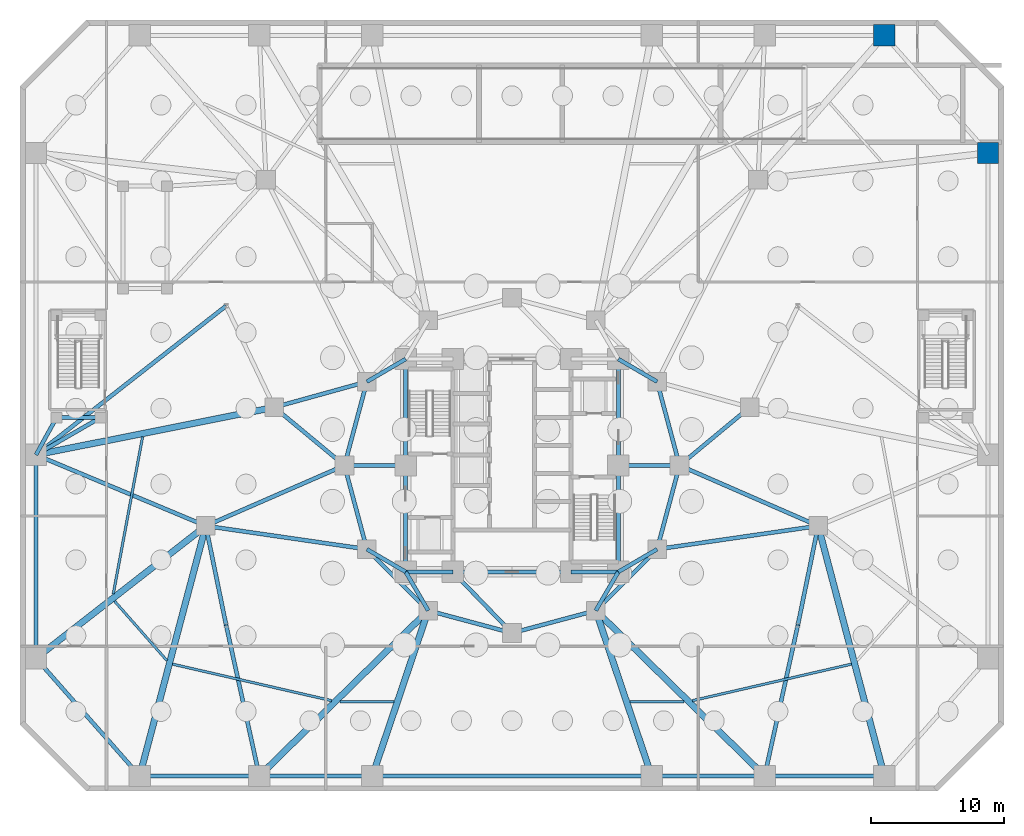
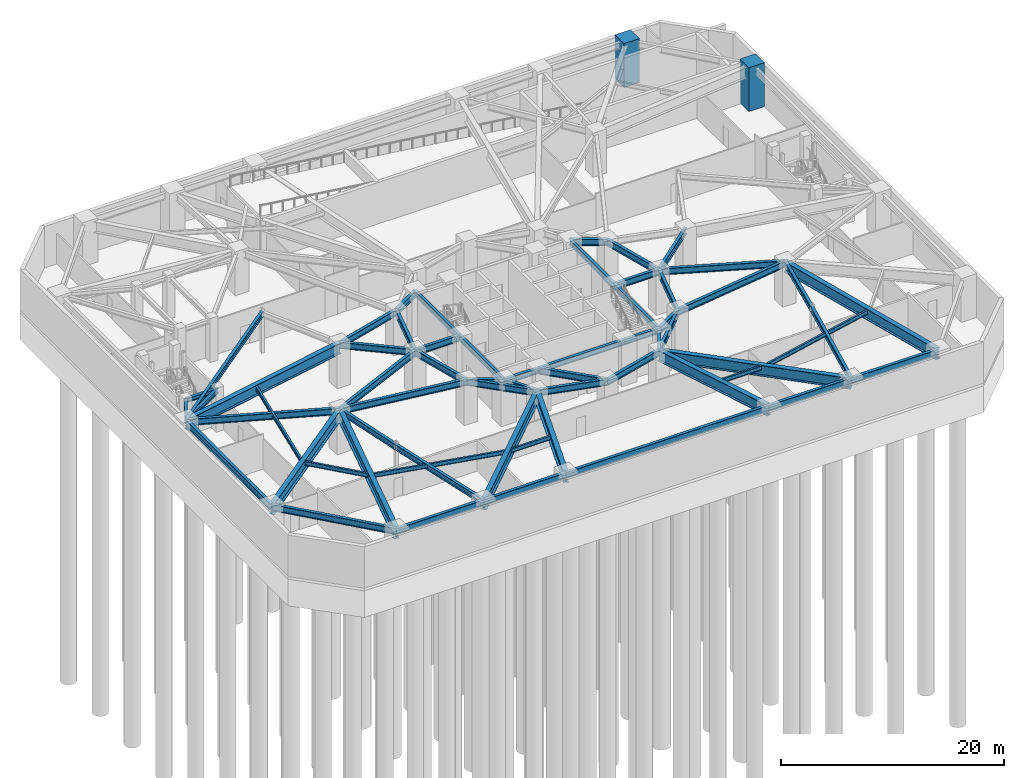
# One storey, part 9 of 20: 61 beams, 2 columns.
"""IFC4 building model written with IfcOpenShell, lengths in metres."""

from ifc_helpers import new_model, si_unit, direction, frame, origin, origin_2d, place, context, subcontext, project, spatial, rectangle, i_section, extrude, material, material_profile, profile_set, type_object, element, save


model = new_model("IFC4")

# Units and contexts
model_context = context("Model", 3, precision=1e-05, world=origin(), true_north=direction((0.0, 1.0)))
body_context = subcontext(model_context, "Body", "Model", "MODEL_VIEW")
ifc_project = project(units=[si_unit("LENGTHUNIT", "METRE"), si_unit("AREAUNIT", "SQUARE_METRE"), si_unit("VOLUMEUNIT", "CUBIC_METRE"), si_unit("PLANEANGLEUNIT", "RADIAN"), si_unit("MASSUNIT", "GRAM", prefix="KILO")], contexts=[model_context])

# Site, building, storey
site_placement = place(None, origin())
site = spatial("IfcSite", under=ifc_project, at=site_placement, CompositionType="ELEMENT")
building_placement = place(site_placement, origin())
building = spatial("IfcBuilding", under=site, at=building_placement, Name="Terralouvre Media Tower", CompositionType="ELEMENT")
storey_placement = place(building_placement, frame((0.0, 0.0, -9.60009765625)))
storey = spatial("IfcBuildingStorey", under=building, at=storey_placement, Name="B02", CompositionType="ELEMENT", Elevation=-9.60009765625)

# Columns
ifc_material_1 = material(Name="Concrete C60/75", Category="concrete")
ifc_material_profile_1 = material_profile(ifc_material_1, rectangle(XDim=1.60009765625, YDim=1.60009765625, at=origin_2d()), Name="RC 1600x1600")
ifc_profile_set_1 = profile_set([ifc_material_profile_1], Name="Concrete C60/75")
column_type = type_object("IfcColumnType", Name="Structural Column C-RC1600 (RC 1600x1600)", PredefinedType="COLUMN", material=ifc_profile_set_1)
for number, where, z_axis, x_axis, name in (
    (1, (35.800048828125, 23.5, 0.0), (0.0, 0.0, 1.0), (1.0, 0.0, 0.0), "B02 Perimeter Mega-Column PM09"),
    (2, (28.0, 32.35009765625, 0.0), (0.0, 0.0, 1.0), (1.0, 0.0, 0.0), "B02 Perimeter Mega-Column PM10"),
):
    element("IfcColumn", number, at=place(storey_placement, frame(where, z_axis=z_axis, x_axis=x_axis)), inside=storey, type_object=column_type, Name=name, PredefinedType="COLUMN", context=body_context, shape_type="SweptSolid", body=[
        extrude(rectangle(XDim=1.60009765625, YDim=1.60009765625, at=origin_2d()), origin(), (0.0, 0.0, 1.0), 4.800048828125),
    ])

# Beams
ifc_material_2 = material(Name="Structural steel S355J2", Category="steel")
ifc_material_profile_2 = material_profile(ifc_material_2, i_section(OverallWidth=0.18994140625, OverallDepth=0.449951171875, WebThickness=0.009521484375, FlangeThickness=0.0146484375, at=origin_2d()), Name="IPE 450")
ifc_profile_set_2 = profile_set([ifc_material_profile_2], Name="Structural steel S355J2")
beam_type_1 = type_object("IfcBeamType", Name="Composite Floor Joist J-IPE450 (IPE 450)", PredefinedType="JOIST", material=ifc_profile_set_2)
beam_1_placement = place(storey_placement, frame((-29.8935546875, -10.199951171875, 4.295166015625), z_axis=(0.66119903181, -0.750210530674, 0.0), x_axis=(0.750210530674, 0.66119903181, 0.0)))
element("IfcBeam", 3, at=beam_1_placement, inside=storey, type_object=beam_type_1, Name="B02 Framing Beam JT-B02-01", PredefinedType="JOIST", context=body_context, shape_type="SweptSolid", body=[
    extrude(i_section(OverallWidth=0.18994140625, OverallDepth=0.449951171875, WebThickness=0.009521484375, FlangeThickness=0.0146484375, at=origin_2d()), origin(), (0.0, 0.0, 1.0), 5.962890625),
])
beam_2_placement = place(storey_placement, frame((-25.529052734375, -14.94189453125, 4.295166015625), z_axis=(0.974645575142, -0.223754335951, 0.0), x_axis=(0.223754335951, 0.974645575142, 0.0)))
element("IfcBeam", 4, at=beam_2_placement, inside=storey, type_object=beam_type_1, Name="B02 Framing Beam JT-B02-02", PredefinedType="JOIST", context=body_context, shape_type="SweptSolid", body=[
    extrude(i_section(OverallWidth=0.18994140625, OverallDepth=0.449951171875, WebThickness=0.009521484375, FlangeThickness=0.0146484375, at=origin_2d()), origin(), (0.0, 0.0, 1.0), 12.279296875),
])
for number, where, z_axis, x_axis, name in (
    (5, (-12.944091796875, -17.7529296875, 4.295166015625), (1.0, 0.0, 0.0), (0.0, 1.0, 0.0), "B02 Framing Beam JT-B02-03"),
    (6, (8.861328125, -17.7529296875, 4.295166015625), (1.0, 0.0, 0.0), (0.0, 1.0, 0.0), "B02 Framing Beam JT-B02-05"),
):
    element("IfcBeam", number, at=place(storey_placement, frame(where, z_axis=z_axis, x_axis=x_axis)), inside=storey, type_object=beam_type_1, Name=name, PredefinedType="JOIST", context=body_context, shape_type="SweptSolid", body=[
        extrude(i_section(OverallWidth=0.18994140625, OverallDepth=0.449951171875, WebThickness=0.009521484375, FlangeThickness=0.0146484375, at=origin_2d()), origin(), (0.0, 0.0, 1.0), 4.082763671875),
    ])
beam_3_placement = place(storey_placement, frame((13.56103515625, -17.689453125, 4.295166015625), z_axis=(0.974645575142, 0.223754335951, 0.0), x_axis=(-0.223754335951, 0.974645575142, 0.0)))
element("IfcBeam", 7, at=beam_3_placement, inside=storey, type_object=beam_type_1, Name="B02 Framing Beam JT-B02-06", PredefinedType="JOIST", context=body_context, shape_type="SweptSolid", body=[
    extrude(i_section(OverallWidth=0.18994140625, OverallDepth=0.449951171875, WebThickness=0.009521484375, FlangeThickness=0.0146484375, at=origin_2d()), origin(), (0.0, 0.0, 1.0), 12.279296875),
])
beam_4_placement = place(storey_placement, frame((-27.78076171875, 2.15576171875, 4.295166015625), z_axis=(-0.183290741446, -0.983058749058, 0.0), x_axis=(0.983058749058, -0.183290741446, 0.0)))
element("IfcBeam", 8, at=beam_4_placement, inside=storey, type_object=beam_type_1, Name="B02 Framing Beam JT-B02-18", PredefinedType="JOIST", context=body_context, shape_type="SweptSolid", body=[
    extrude(i_section(OverallWidth=0.18994140625, OverallDepth=0.449951171875, WebThickness=0.009521484375, FlangeThickness=0.0146484375, at=origin_2d()), origin(), (0.0, 0.0, 1.0), 12.026611328125),
])
ifc_material_3 = material(Name="Structural steel S355J2", Category="steel")
ifc_material_profile_3 = material_profile(ifc_material_3, i_section(OverallWidth=0.300048828125, OverallDepth=0.449951171875, WebThickness=0.013916015625, FlangeThickness=0.02587890625, at=origin_2d()), Name="HEB 450")
ifc_profile_set_3 = profile_set([ifc_material_profile_3], Name="Structural steel S355J2")
beam_type_2 = type_object("IfcBeamType", Name="Primary Floor Girder B-HEB450 (HEB 450)", PredefinedType="BEAM", material=ifc_profile_set_3)
beam_5_placement = place(storey_placement, frame((-34.25, 3.60009765625, 4.295166015625), z_axis=(1.0, 0.0, 0.0), x_axis=(0.0, 1.0, 0.0)))
element("IfcBeam", 9, at=beam_5_placement, inside=storey, type_object=beam_type_2, Name="B02 Framing Beam BM-B02-PVST31", PredefinedType="BEAM", context=body_context, shape_type="SweptSolid", body=[
    extrude(i_section(OverallWidth=0.300048828125, OverallDepth=0.449951171875, WebThickness=0.013916015625, FlangeThickness=0.02587890625, at=origin_2d()), origin(), (0.0, 0.0, 1.0), 3.300048828125),
])
ifc_material_4 = material(Name="Structural steel S355J2", Category="steel")
ifc_material_profile_4 = material_profile(ifc_material_4, i_section(OverallWidth=0.300048828125, OverallDepth=0.5, WebThickness=0.014404296875, FlangeThickness=0.028076171875, at=origin_2d()), Name="HEB 500")
ifc_profile_set_4 = profile_set([ifc_material_profile_4], Name="Structural steel S355J2")
beam_type_3 = type_object("IfcBeamType", Name="Primary Floor Girder B-HEB500 (HEB 500)", PredefinedType="BEAM", material=ifc_profile_set_4)
beam_6_placement = place(storey_placement, frame((-34.25, 3.60009765625, 4.27001953125), z_axis=(-0.484321096397, -0.874890322032, 0.0), x_axis=(0.874890322032, -0.484321096397, 0.0)))
element("IfcBeam", 10, at=beam_6_placement, inside=storey, type_object=beam_type_3, Name="B02 Framing Beam BM-B02-PVTST31", PredefinedType="BEAM", context=body_context, shape_type="SweptSolid", body=[
    extrude(i_section(OverallWidth=0.300048828125, OverallDepth=0.5, WebThickness=0.014404296875, FlangeThickness=0.028076171875, at=origin_2d()), origin(), (0.0, 0.0, 1.0), 3.200439453125),
])
beam_7_placement = place(storey_placement, frame((-30.949951171875, 3.60009765625, 4.27001953125), z_axis=(-0.866037493094, -0.499979060117, 0.0), x_axis=(0.499979060117, -0.866037493094, 0.0)))
element("IfcBeam", 11, at=beam_7_placement, inside=storey, type_object=beam_type_3, Name="B02 Framing Beam BM-B02-PVTST32", PredefinedType="BEAM", context=body_context, shape_type="SweptSolid", body=[
    extrude(i_section(OverallWidth=0.300048828125, OverallDepth=0.5, WebThickness=0.014404296875, FlangeThickness=0.028076171875, at=origin_2d()), origin(), (0.0, 0.0, 1.0), 5.600341796875),
])
ifc_material_5 = material(Name="Structural steel S460M", Category="steel")
ifc_material_profile_5 = material_profile(ifc_material_5, i_section(OverallWidth=0.300048828125, OverallDepth=0.60009765625, WebThickness=0.015380859375, FlangeThickness=0.030029296875, at=origin_2d()), Name="HEB 600")
ifc_profile_set_5 = profile_set([ifc_material_profile_5], Name="Structural steel S460M")
beam_type_4 = type_object("IfcBeamType", Name="Primary Floor Girder B-HEB600 (HEB 600)", PredefinedType="BEAM", material=ifc_profile_set_5)
beam_8_placement = place(storey_placement, frame((-8.0, -8.0, 4.22021484375), z_axis=(1.0, 0.0, 0.0), x_axis=(0.0, 1.0, 0.0)))
element("IfcBeam", 12, at=beam_8_placement, inside=storey, type_object=beam_type_4, Name="B02 Framing Beam BM-B02-CPR01", PredefinedType="BEAM", context=body_context, shape_type="SweptSolid", body=[
    extrude(i_section(OverallWidth=0.300048828125, OverallDepth=0.60009765625, WebThickness=0.015380859375, FlangeThickness=0.030029296875, at=origin_2d()), origin(), (0.0, 0.0, 1.0), 3.550048828125),
])
beam_9_placement = place(storey_placement, frame((-4.449951171875, -8.0, 4.22021484375), z_axis=(1.0, 0.0, 0.0), x_axis=(0.0, 1.0, 0.0)))
element("IfcBeam", 13, at=beam_9_placement, inside=storey, type_object=beam_type_4, Name="B02 Framing Beam BM-B02-CPR02", PredefinedType="BEAM", context=body_context, shape_type="SweptSolid", body=[
    extrude(i_section(OverallWidth=0.300048828125, OverallDepth=0.60009765625, WebThickness=0.015380859375, FlangeThickness=0.030029296875, at=origin_2d()), origin(), (0.0, 0.0, 1.0), 8.89990234375),
])
beam_10_placement = place(storey_placement, frame((4.449951171875, -8.0, 4.22021484375), z_axis=(1.0, 0.0, 0.0), x_axis=(0.0, 1.0, 0.0)))
element("IfcBeam", 14, at=beam_10_placement, inside=storey, type_object=beam_type_4, Name="B02 Framing Beam BM-B02-CPR03", PredefinedType="BEAM", context=body_context, shape_type="SweptSolid", body=[
    extrude(i_section(OverallWidth=0.300048828125, OverallDepth=0.60009765625, WebThickness=0.015380859375, FlangeThickness=0.030029296875, at=origin_2d()), origin(), (0.0, 0.0, 1.0), 3.550048828125),
])
for number, where, z_axis, x_axis, name in (
    (15, (8.0, -8.0, 4.22021484375), (0.0, 1.0, 0.0), (-1.0, 0.0, 0.0), "B02 Framing Beam BM-B02-CPR04"),
    (16, (8.0, 0.0, 4.22021484375), (0.0, 1.0, 0.0), (-1.0, 0.0, 0.0), "B02 Framing Beam BM-B02-CPR05"),
    (17, (-8.0, 8.0, 4.22021484375), (0.0, -1.0, 0.0), (1.0, 0.0, 0.0), "B02 Framing Beam BM-B02-CPR09"),
    (18, (-8.0, 0.0, 4.22021484375), (0.0, -1.0, 0.0), (1.0, 0.0, 0.0), "B02 Framing Beam BM-B02-CPR10"),
):
    element("IfcBeam", number, at=place(storey_placement, frame(where, z_axis=z_axis, x_axis=x_axis)), inside=storey, type_object=beam_type_4, Name=name, PredefinedType="BEAM", context=body_context, shape_type="SweptSolid", body=[
        extrude(i_section(OverallWidth=0.300048828125, OverallDepth=0.60009765625, WebThickness=0.015380859375, FlangeThickness=0.030029296875, at=origin_2d()), origin(), (0.0, 0.0, 1.0), 8.0),
    ])
beam_11_placement = place(storey_placement, frame((-23.02490234375, -4.546630859375, 4.22021484375), z_axis=(0.200440339184, -0.979705910173, 0.0), x_axis=(0.979705910173, 0.200440339184, 0.0)))
element("IfcBeam", 19, at=beam_11_placement, inside=storey, type_object=beam_type_4, Name="B02 Framing Beam BM-B02-PIL1A", PredefinedType="BEAM", context=body_context, shape_type="SweptSolid", body=[
    extrude(i_section(OverallWidth=0.300048828125, OverallDepth=0.60009765625, WebThickness=0.015380859375, FlangeThickness=0.030029296875, at=origin_2d()), origin(), (0.0, 0.0, 1.0), 7.607666015625),
])
beam_12_placement = place(storey_placement, frame((-21.5, -12.0, 4.22021484375), z_axis=(0.215106223579, -0.976590657634, 0.0), x_axis=(0.976590657634, 0.215106223579, 0.0)))
element("IfcBeam", 20, at=beam_12_placement, inside=storey, type_object=beam_type_4, Name="B02 Framing Beam BM-B02-PIL1B", PredefinedType="BEAM", context=body_context, shape_type="SweptSolid", body=[
    extrude(i_section(OverallWidth=0.300048828125, OverallDepth=0.60009765625, WebThickness=0.015380859375, FlangeThickness=0.030029296875, at=origin_2d()), origin(), (0.0, 0.0, 1.0), 11.6220703125),
])
beam_13_placement = place(storey_placement, frame((23.02490234375, -4.546630859375, 4.22021484375), z_axis=(-0.200440339184, -0.979705910173, 0.0), x_axis=(0.979705910173, -0.200440339184, 0.0)))
element("IfcBeam", 21, at=beam_13_placement, inside=storey, type_object=beam_type_4, Name="B02 Framing Beam BM-B02-PIL2A", PredefinedType="BEAM", context=body_context, shape_type="SweptSolid", body=[
    extrude(i_section(OverallWidth=0.300048828125, OverallDepth=0.60009765625, WebThickness=0.015380859375, FlangeThickness=0.030029296875, at=origin_2d()), origin(), (0.0, 0.0, 1.0), 7.607666015625),
])
beam_14_placement = place(storey_placement, frame((21.5, -12.0, 4.22021484375), z_axis=(-0.215106223579, -0.976590657634, 0.0), x_axis=(0.976590657634, -0.215106223579, 0.0)))
element("IfcBeam", 22, at=beam_14_placement, inside=storey, type_object=beam_type_4, Name="B02 Framing Beam BM-B02-PIL2B", PredefinedType="BEAM", context=body_context, shape_type="SweptSolid", body=[
    extrude(i_section(OverallWidth=0.300048828125, OverallDepth=0.60009765625, WebThickness=0.015380859375, FlangeThickness=0.030029296875, at=origin_2d()), origin(), (0.0, 0.0, 1.0), 11.6220703125),
])
beam_15_placement = place(storey_placement, frame((-21.5, 12.0, 4.22021484375), z_axis=(-0.787274922091, -0.616602138373, 0.0), x_axis=(0.616602138373, -0.787274922091, 0.0)))
element("IfcBeam", 23, at=beam_15_placement, inside=storey, type_object=beam_type_4, Name="B02 Framing Beam BM-B02-PIL3B", PredefinedType="BEAM", context=body_context, shape_type="SweptSolid", body=[
    extrude(i_section(OverallWidth=0.300048828125, OverallDepth=0.60009765625, WebThickness=0.015380859375, FlangeThickness=0.030029296875, at=origin_2d()), origin(), (0.0, 0.0, 1.0), 18.1640625),
])
ifc_material_6 = material(Name="Structural steel S460M", Category="steel")
ifc_material_profile_6 = material_profile(ifc_material_6, i_section(OverallWidth=0.300048828125, OverallDepth=0.699951171875, WebThickness=0.01708984375, FlangeThickness=0.031982421875, at=origin_2d()), Name="HEB 700")
ifc_profile_set_6 = profile_set([ifc_material_profile_6], Name="Structural steel S460M")
beam_type_5 = type_object("IfcBeamType", Name="Primary Floor Girder B-HEB700 (HEB 700)", PredefinedType="BEAM", material=ifc_profile_set_6)
beam_16_placement = place(storey_placement, frame((-10.911865234375, -6.300048828125, 4.170166015625), z_axis=(0.707106781187, -0.707106781187, 0.0), x_axis=(0.707106781187, 0.707106781187, 0.0)))
element("IfcBeam", 24, at=beam_16_placement, inside=storey, type_object=beam_type_5, Name="B02 Framing Beam BM-B02-MR01", PredefinedType="BEAM", context=body_context, shape_type="SweptSolid", body=[
    extrude(i_section(OverallWidth=0.300048828125, OverallDepth=0.699951171875, WebThickness=0.01708984375, FlangeThickness=0.031982421875, at=origin_2d()), origin(), (0.0, 0.0, 1.0), 6.52197265625),
])
for number, where, z_axis, x_axis, name in (
    (25, (-6.300048828125, -10.911865234375, 4.170166015625), (0.965920481897, -0.258838989821, 0.0), (0.258838989821, 0.965920481897, 0.0), "B02 Framing Beam BM-B02-MR02"),
    (26, (0.0, -12.60009765625, 4.170166015625), (0.965920481897, 0.258838989821, 0.0), (-0.258838989821, 0.965920481897, 0.0), "B02 Framing Beam BM-B02-MR03"),
):
    element("IfcBeam", number, at=place(storey_placement, frame(where, z_axis=z_axis, x_axis=x_axis)), inside=storey, type_object=beam_type_5, Name=name, PredefinedType="BEAM", context=body_context, shape_type="SweptSolid", body=[
        extrude(i_section(OverallWidth=0.300048828125, OverallDepth=0.699951171875, WebThickness=0.01708984375, FlangeThickness=0.031982421875, at=origin_2d()), origin(), (0.0, 0.0, 1.0), 6.522216796875),
    ])
beam_17_placement = place(storey_placement, frame((6.300048828125, -10.911865234375, 4.170166015625), z_axis=(0.707106781187, 0.707106781187, 0.0), x_axis=(-0.707106781187, 0.707106781187, 0.0)))
element("IfcBeam", 27, at=beam_17_placement, inside=storey, type_object=beam_type_5, Name="B02 Framing Beam BM-B02-MR04", PredefinedType="BEAM", context=body_context, shape_type="SweptSolid", body=[
    extrude(i_section(OverallWidth=0.300048828125, OverallDepth=0.699951171875, WebThickness=0.01708984375, FlangeThickness=0.031982421875, at=origin_2d()), origin(), (0.0, 0.0, 1.0), 6.52197265625),
])
for number, where, z_axis, x_axis, name in (
    (28, (10.911865234375, -6.300048828125, 4.170166015625), (0.258838989821, 0.965920481897, 0.0), (-0.965920481897, 0.258838989821, 0.0), "B02 Framing Beam BM-B02-MR05"),
    (29, (12.60009765625, 0.0, 4.170166015625), (-0.258838989821, 0.965920481897, 0.0), (-0.965920481897, -0.258838989821, 0.0), "B02 Framing Beam BM-B02-MR06"),
    (30, (-10.911865234375, 6.300048828125, 4.170166015625), (-0.258838989821, -0.965920481897, 0.0), (0.965920481897, -0.258838989821, 0.0), "B02 Framing Beam BM-B02-MR11"),
    (31, (-12.60009765625, 0.0, 4.170166015625), (0.258838989821, -0.965920481897, 0.0), (0.965920481897, 0.258838989821, 0.0), "B02 Framing Beam BM-B02-MR12"),
):
    element("IfcBeam", number, at=place(storey_placement, frame(where, z_axis=z_axis, x_axis=x_axis)), inside=storey, type_object=beam_type_5, Name=name, PredefinedType="BEAM", context=body_context, shape_type="SweptSolid", body=[
        extrude(i_section(OverallWidth=0.300048828125, OverallDepth=0.699951171875, WebThickness=0.01708984375, FlangeThickness=0.031982421875, at=origin_2d()), origin(), (0.0, 0.0, 1.0), 6.522216796875),
    ])
for number, where, z_axis, x_axis, name in (
    (32, (-8.0, -8.0, 4.170166015625), (-0.863602894532, 0.504172629717, 0.0), (-0.504172629717, -0.863602894532, 0.0), "B02 Framing Beam BM-B02-CM01"),
    (33, (-8.0, -8.0, 4.170166015625), (0.504172629717, -0.863602894532, 0.0), (0.863602894532, 0.504172629717, 0.0), "B02 Framing Beam BM-B02-CM02"),
):
    element("IfcBeam", number, at=place(storey_placement, frame(where, z_axis=z_axis, x_axis=x_axis)), inside=storey, type_object=beam_type_5, Name=name, PredefinedType="BEAM", context=body_context, shape_type="SweptSolid", body=[
        extrude(i_section(OverallWidth=0.300048828125, OverallDepth=0.699951171875, WebThickness=0.01708984375, FlangeThickness=0.031982421875, at=origin_2d()), origin(), (0.0, 0.0, 1.0), 3.371826171875),
    ])
beam_18_placement = place(storey_placement, frame((-4.449951171875, -8.0, 4.170166015625), z_axis=(0.695279715726, -0.718739255155, 0.0), x_axis=(0.718739255155, 0.695279715726, 0.0)))
element("IfcBeam", 34, at=beam_18_placement, inside=storey, type_object=beam_type_5, Name="B02 Framing Beam BM-B02-CM03", PredefinedType="BEAM", context=body_context, shape_type="SweptSolid", body=[
    extrude(i_section(OverallWidth=0.300048828125, OverallDepth=0.699951171875, WebThickness=0.01708984375, FlangeThickness=0.031982421875, at=origin_2d()), origin(), (0.0, 0.0, 1.0), 6.400146484375),
])
for number, where, z_axis, x_axis, name in (
    (35, (8.0, -8.0, 4.170166015625), (-0.504172629717, -0.863602894532, 0.0), (0.863602894532, -0.504172629717, 0.0), "B02 Framing Beam BM-B02-CM04"),
    (36, (8.0, -8.0, 4.170166015625), (0.863602894532, 0.504172629717, 0.0), (-0.504172629717, 0.863602894532, 0.0), "B02 Framing Beam BM-B02-CM05"),
):
    element("IfcBeam", number, at=place(storey_placement, frame(where, z_axis=z_axis, x_axis=x_axis)), inside=storey, type_object=beam_type_5, Name=name, PredefinedType="BEAM", context=body_context, shape_type="SweptSolid", body=[
        extrude(i_section(OverallWidth=0.300048828125, OverallDepth=0.699951171875, WebThickness=0.01708984375, FlangeThickness=0.031982421875, at=origin_2d()), origin(), (0.0, 0.0, 1.0), 3.371826171875),
    ])
beam_19_placement = place(storey_placement, frame((8.0, 0.0, 4.170166015625), z_axis=(1.0, 0.0, 0.0), x_axis=(0.0, 1.0, 0.0)))
element("IfcBeam", 37, at=beam_19_placement, inside=storey, type_object=beam_type_5, Name="B02 Framing Beam BM-B02-CM06", PredefinedType="BEAM", context=body_context, shape_type="SweptSolid", body=[
    extrude(i_section(OverallWidth=0.300048828125, OverallDepth=0.699951171875, WebThickness=0.01708984375, FlangeThickness=0.031982421875, at=origin_2d()), origin(), (0.0, 0.0, 1.0), 4.60009765625),
])
for number, where, z_axis, x_axis, name in (
    (38, (8.0, 8.0, 4.170166015625), (0.863602894532, -0.504172629717, 0.0), (0.504172629717, 0.863602894532, 0.0), "B02 Framing Beam BM-B02-CM07"),
    (39, (-8.0, 8.0, 4.170166015625), (-0.863602894532, -0.504172629717, 0.0), (0.504172629717, -0.863602894532, 0.0), "B02 Framing Beam BM-B02-CM11"),
):
    element("IfcBeam", number, at=place(storey_placement, frame(where, z_axis=z_axis, x_axis=x_axis)), inside=storey, type_object=beam_type_5, Name=name, PredefinedType="BEAM", context=body_context, shape_type="SweptSolid", body=[
        extrude(i_section(OverallWidth=0.300048828125, OverallDepth=0.699951171875, WebThickness=0.01708984375, FlangeThickness=0.031982421875, at=origin_2d()), origin(), (0.0, 0.0, 1.0), 3.371826171875),
    ])
beam_20_placement = place(storey_placement, frame((-8.0, 0.0, 4.170166015625), z_axis=(-1.0, 0.0, 0.0), x_axis=(0.0, -1.0, 0.0)))
element("IfcBeam", 40, at=beam_20_placement, inside=storey, type_object=beam_type_5, Name="B02 Framing Beam BM-B02-CM12", PredefinedType="BEAM", context=body_context, shape_type="SweptSolid", body=[
    extrude(i_section(OverallWidth=0.300048828125, OverallDepth=0.699951171875, WebThickness=0.01708984375, FlangeThickness=0.031982421875, at=origin_2d()), origin(), (0.0, 0.0, 1.0), 4.60009765625),
])
beam_21_placement = place(storey_placement, frame((12.60009765625, 0.0, 4.170166015625), z_axis=(0.916615903868, -0.399769039291, 0.0), x_axis=(0.399769039291, 0.916615903868, 0.0)))
element("IfcBeam", 41, at=beam_21_placement, inside=storey, type_object=beam_type_5, Name="B02 Framing Beam BM-B02-PM21M1", PredefinedType="BEAM", context=body_context, shape_type="SweptSolid", body=[
    extrude(i_section(OverallWidth=0.300048828125, OverallDepth=0.699951171875, WebThickness=0.01708984375, FlangeThickness=0.031982421875, at=origin_2d()), origin(), (0.0, 0.0, 1.0), 11.373046875),
])
beam_22_placement = place(storey_placement, frame((10.911865234375, -6.300048828125, 4.170166015625), z_axis=(0.989684877742, 0.143261448996, 0.0), x_axis=(-0.143261448996, 0.989684877742, 0.0)))
element("IfcBeam", 42, at=beam_22_placement, inside=storey, type_object=beam_type_5, Name="B02 Framing Beam BM-B02-PM21M2", PredefinedType="BEAM", context=body_context, shape_type="SweptSolid", body=[
    extrude(i_section(OverallWidth=0.300048828125, OverallDepth=0.699951171875, WebThickness=0.01708984375, FlangeThickness=0.031982421875, at=origin_2d()), origin(), (0.0, 0.0, 1.0), 12.2392578125),
])
for number, where, z_axis, x_axis, name in (
    (43, (12.60009765625, 0.0, 4.170166015625), (0.769816459478, 0.638265320001, 0.0), (-0.638265320001, 0.769816459478, 0.0), "B02 Framing Beam BM-B02-PM22M1"),
    (44, (-12.60009765625, 0.0, 4.170166015625), (-0.769816459478, 0.638265320001, 0.0), (-0.638265320001, -0.769816459478, 0.0), "B02 Framing Beam BM-B02-PM23M1"),
):
    element("IfcBeam", number, at=place(storey_placement, frame(where, z_axis=z_axis, x_axis=x_axis)), inside=storey, type_object=beam_type_5, Name=name, PredefinedType="BEAM", context=body_context, shape_type="SweptSolid", body=[
        extrude(i_section(OverallWidth=0.300048828125, OverallDepth=0.699951171875, WebThickness=0.01708984375, FlangeThickness=0.031982421875, at=origin_2d()), origin(), (0.0, 0.0, 1.0), 6.851806640625),
    ])
beam_23_placement = place(storey_placement, frame((-10.911865234375, 6.300048828125, 4.170166015625), z_axis=(-0.963780816717, -0.266695589254, 0.0), x_axis=(0.266695589254, -0.963780816717, 0.0)))
element("IfcBeam", 45, at=beam_23_placement, inside=storey, type_object=beam_type_5, Name="B02 Framing Beam BM-B02-PM23M2", PredefinedType="BEAM", context=body_context, shape_type="SweptSolid", body=[
    extrude(i_section(OverallWidth=0.300048828125, OverallDepth=0.699951171875, WebThickness=0.01708984375, FlangeThickness=0.031982421875, at=origin_2d()), origin(), (0.0, 0.0, 1.0), 7.224609375),
])
beam_24_placement = place(storey_placement, frame((-12.60009765625, 0.0, 4.170166015625), z_axis=(-0.916615903868, -0.399769039291, 0.0), x_axis=(0.399769039291, -0.916615903868, 0.0)))
element("IfcBeam", 46, at=beam_24_placement, inside=storey, type_object=beam_type_5, Name="B02 Framing Beam BM-B02-PM24M1", PredefinedType="BEAM", context=body_context, shape_type="SweptSolid", body=[
    extrude(i_section(OverallWidth=0.300048828125, OverallDepth=0.699951171875, WebThickness=0.01708984375, FlangeThickness=0.031982421875, at=origin_2d()), origin(), (0.0, 0.0, 1.0), 11.373046875),
])
beam_25_placement = place(storey_placement, frame((-10.911865234375, -6.300048828125, 4.170166015625), z_axis=(-0.989684877742, 0.143261448996, 0.0), x_axis=(-0.143261448996, -0.989684877742, 0.0)))
element("IfcBeam", 47, at=beam_25_placement, inside=storey, type_object=beam_type_5, Name="B02 Framing Beam BM-B02-PM24M2", PredefinedType="BEAM", context=body_context, shape_type="SweptSolid", body=[
    extrude(i_section(OverallWidth=0.300048828125, OverallDepth=0.699951171875, WebThickness=0.01708984375, FlangeThickness=0.031982421875, at=origin_2d()), origin(), (0.0, 0.0, 1.0), 12.2392578125),
])
beam_26_placement = place(storey_placement, frame((-23.02490234375, -4.546630859375, 4.170166015625), z_axis=(-0.922468147364, 0.386073201737, 0.0), x_axis=(-0.386073201737, -0.922468147364, 0.0)))
element("IfcBeam", 48, at=beam_26_placement, inside=storey, type_object=beam_type_5, Name="B02 Framing Beam BM-B02-PM24P1", PredefinedType="BEAM", context=body_context, shape_type="SweptSolid", body=[
    extrude(i_section(OverallWidth=0.300048828125, OverallDepth=0.699951171875, WebThickness=0.01708984375, FlangeThickness=0.031982421875, at=origin_2d()), origin(), (0.0, 0.0, 1.0), 13.848876953125),
])
beam_27_placement = place(storey_placement, frame((-35.800048828125, -14.5, 4.170166015625), z_axis=(0.661199207896, -0.75021037548, 0.0), x_axis=(0.75021037548, 0.661199207896, 0.0)))
element("IfcBeam", 49, at=beam_27_placement, inside=storey, type_object=beam_type_5, Name="B02 Framing Beam BM-B02-PR01", PredefinedType="BEAM", context=body_context, shape_type="SweptSolid", body=[
    extrude(i_section(OverallWidth=0.300048828125, OverallDepth=0.699951171875, WebThickness=0.01708984375, FlangeThickness=0.031982421875, at=origin_2d()), origin(), (0.0, 0.0, 1.0), 11.796875),
])
beam_28_placement = place(storey_placement, frame((-28.0, -23.35009765625, 4.170166015625), z_axis=(1.0, 0.0, 0.0), x_axis=(0.0, 1.0, 0.0)))
element("IfcBeam", 50, at=beam_28_placement, inside=storey, type_object=beam_type_5, Name="B02 Framing Beam BM-B02-PR02", PredefinedType="BEAM", context=body_context, shape_type="SweptSolid", body=[
    extrude(i_section(OverallWidth=0.300048828125, OverallDepth=0.699951171875, WebThickness=0.01708984375, FlangeThickness=0.031982421875, at=origin_2d()), origin(), (0.0, 0.0, 1.0), 9.0),
])
beam_29_placement = place(storey_placement, frame((-19.0, -23.35009765625, 4.170166015625), z_axis=(1.0, 0.0, 0.0), x_axis=(0.0, 1.0, 0.0)))
element("IfcBeam", 51, at=beam_29_placement, inside=storey, type_object=beam_type_5, Name="B02 Framing Beam BM-B02-PR03", PredefinedType="BEAM", context=body_context, shape_type="SweptSolid", body=[
    extrude(i_section(OverallWidth=0.300048828125, OverallDepth=0.699951171875, WebThickness=0.01708984375, FlangeThickness=0.031982421875, at=origin_2d()), origin(), (0.0, 0.0, 1.0), 8.5),
])
beam_30_placement = place(storey_placement, frame((-10.5, -23.35009765625, 4.170166015625), z_axis=(1.0, 0.0, 0.0), x_axis=(0.0, 1.0, 0.0)))
element("IfcBeam", 52, at=beam_30_placement, inside=storey, type_object=beam_type_5, Name="B02 Framing Beam BM-B02-PR04", PredefinedType="BEAM", context=body_context, shape_type="SweptSolid", body=[
    extrude(i_section(OverallWidth=0.300048828125, OverallDepth=0.699951171875, WebThickness=0.01708984375, FlangeThickness=0.031982421875, at=origin_2d()), origin(), (0.0, 0.0, 1.0), 21.0),
])
beam_31_placement = place(storey_placement, frame((10.5, -23.35009765625, 4.170166015625), z_axis=(1.0, 0.0, 0.0), x_axis=(0.0, 1.0, 0.0)))
element("IfcBeam", 53, at=beam_31_placement, inside=storey, type_object=beam_type_5, Name="B02 Framing Beam BM-B02-PR05", PredefinedType="BEAM", context=body_context, shape_type="SweptSolid", body=[
    extrude(i_section(OverallWidth=0.300048828125, OverallDepth=0.699951171875, WebThickness=0.01708984375, FlangeThickness=0.031982421875, at=origin_2d()), origin(), (0.0, 0.0, 1.0), 8.5),
])
beam_32_placement = place(storey_placement, frame((19.0, -23.35009765625, 4.170166015625), z_axis=(1.0, 0.0, 0.0), x_axis=(0.0, 1.0, 0.0)))
element("IfcBeam", 54, at=beam_32_placement, inside=storey, type_object=beam_type_5, Name="B02 Framing Beam BM-B02-PR06", PredefinedType="BEAM", context=body_context, shape_type="SweptSolid", body=[
    extrude(i_section(OverallWidth=0.300048828125, OverallDepth=0.699951171875, WebThickness=0.01708984375, FlangeThickness=0.031982421875, at=origin_2d()), origin(), (0.0, 0.0, 1.0), 9.0),
])
beam_33_placement = place(storey_placement, frame((-35.800048828125, 0.800048828125, 4.170166015625), z_axis=(0.0, -1.0, 0.0), x_axis=(1.0, 0.0, 0.0)))
element("IfcBeam", 55, at=beam_33_placement, inside=storey, type_object=beam_type_5, Name="B02 Framing Beam BM-B02-PR18", PredefinedType="BEAM", context=body_context, shape_type="SweptSolid", body=[
    extrude(i_section(OverallWidth=0.300048828125, OverallDepth=0.699951171875, WebThickness=0.01708984375, FlangeThickness=0.031982421875, at=origin_2d()), origin(), (0.0, 0.0, 1.0), 15.300048828125),
])
ifc_material_7 = material(Name="Structural steel S460M", Category="steel")
ifc_material_profile_7 = material_profile(ifc_material_7, i_section(OverallWidth=0.47998046875, OverallDepth=1.199951171875, WebThickness=0.028076171875, FlangeThickness=0.044921875, at=origin_2d()), Name="PG 1200x480")
ifc_profile_set_7 = profile_set([ifc_material_profile_7], Name="Structural steel S460M")
beam_type_6 = type_object("IfcBeamType", Name="Primary Floor Girder B-PG1200 (PG 1200x480)", PredefinedType="BEAM", material=ifc_profile_set_7)
beam_34_placement = place(storey_placement, frame((-23.02490234375, -4.546630859375, 3.920166015625), z_axis=(-0.788838921833, -0.614599996259, 0.0), x_axis=(0.614599996259, -0.788838921833, 0.0)))
element("IfcBeam", 56, at=beam_34_placement, inside=storey, type_object=beam_type_6, Name="B02 Framing Beam BM-B02-RD01", PredefinedType="BEAM", context=body_context, shape_type="SweptSolid", body=[
    extrude(i_section(OverallWidth=0.47998046875, OverallDepth=1.199951171875, WebThickness=0.028076171875, FlangeThickness=0.044921875, at=origin_2d()), origin(), (0.0, 0.0, 1.0), 16.19482421875),
])
beam_35_placement = place(storey_placement, frame((-23.02490234375, -4.546630859375, 3.920166015625), z_axis=(-0.25578250381, -0.966734353762, 0.0), x_axis=(0.966734353762, -0.25578250381, 0.0)))
element("IfcBeam", 57, at=beam_35_placement, inside=storey, type_object=beam_type_6, Name="B02 Framing Beam BM-B02-RD02", PredefinedType="BEAM", context=body_context, shape_type="SweptSolid", body=[
    extrude(i_section(OverallWidth=0.47998046875, OverallDepth=1.199951171875, WebThickness=0.028076171875, FlangeThickness=0.044921875, at=origin_2d()), origin(), (0.0, 0.0, 1.0), 19.450439453125),
])
beam_36_placement = place(storey_placement, frame((-6.300048828125, -10.911865234375, 3.920166015625), z_axis=(-0.714429895313, -0.69970702775, 0.0), x_axis=(0.69970702775, -0.714429895313, 0.0)))
element("IfcBeam", 58, at=beam_36_placement, inside=storey, type_object=beam_type_6, Name="B02 Framing Beam BM-B02-RD03", PredefinedType="BEAM", context=body_context, shape_type="SweptSolid", body=[
    extrude(i_section(OverallWidth=0.47998046875, OverallDepth=1.199951171875, WebThickness=0.028076171875, FlangeThickness=0.044921875, at=origin_2d()), origin(), (0.0, 0.0, 1.0), 17.7763671875),
])
for number, where, z_axis, x_axis, name in (
    (59, (-6.300048828125, -10.911865234375, 3.920166015625), (-0.319918670086, -0.947445008711, 0.0), (0.947445008711, -0.319918670086, 0.0), "B02 Framing Beam BM-B02-RD04"),
    (60, (6.300048828125, -10.911865234375, 3.920166015625), (0.319918670086, -0.947445008711, 0.0), (0.947445008711, 0.319918670086, 0.0), "B02 Framing Beam BM-B02-RD05"),
):
    element("IfcBeam", number, at=place(storey_placement, frame(where, z_axis=z_axis, x_axis=x_axis)), inside=storey, type_object=beam_type_6, Name=name, PredefinedType="BEAM", context=body_context, shape_type="SweptSolid", body=[
        extrude(i_section(OverallWidth=0.47998046875, OverallDepth=1.199951171875, WebThickness=0.028076171875, FlangeThickness=0.044921875, at=origin_2d()), origin(), (0.0, 0.0, 1.0), 13.128173828125),
    ])
beam_37_placement = place(storey_placement, frame((6.300048828125, -10.911865234375, 3.920166015625), z_axis=(0.714429895313, -0.69970702775, 0.0), x_axis=(0.69970702775, 0.714429895313, 0.0)))
element("IfcBeam", 61, at=beam_37_placement, inside=storey, type_object=beam_type_6, Name="B02 Framing Beam BM-B02-RD06", PredefinedType="BEAM", context=body_context, shape_type="SweptSolid", body=[
    extrude(i_section(OverallWidth=0.47998046875, OverallDepth=1.199951171875, WebThickness=0.028076171875, FlangeThickness=0.044921875, at=origin_2d()), origin(), (0.0, 0.0, 1.0), 17.7763671875),
])
beam_38_placement = place(storey_placement, frame((23.02490234375, -4.546630859375, 3.920166015625), z_axis=(0.25578250381, -0.966734353762, 0.0), x_axis=(0.966734353762, 0.25578250381, 0.0)))
element("IfcBeam", 62, at=beam_38_placement, inside=storey, type_object=beam_type_6, Name="B02 Framing Beam BM-B02-RD07", PredefinedType="BEAM", context=body_context, shape_type="SweptSolid", body=[
    extrude(i_section(OverallWidth=0.47998046875, OverallDepth=1.199951171875, WebThickness=0.028076171875, FlangeThickness=0.044921875, at=origin_2d()), origin(), (0.0, 0.0, 1.0), 19.450439453125),
])
beam_39_placement = place(storey_placement, frame((-17.874755859375, 4.373291015625, 3.920166015625), z_axis=(-0.980704802412, -0.19549447697, 0.0), x_axis=(0.19549447697, -0.980704802412, 0.0)))
element("IfcBeam", 63, at=beam_39_placement, inside=storey, type_object=beam_type_6, Name="B02 Framing Beam BM-B02-RD18", PredefinedType="BEAM", context=body_context, shape_type="SweptSolid", body=[
    extrude(i_section(OverallWidth=0.47998046875, OverallDepth=1.199951171875, WebThickness=0.028076171875, FlangeThickness=0.044921875, at=origin_2d()), origin(), (0.0, 0.0, 1.0), 18.278076171875),
])

save(model, "model.ifc")
